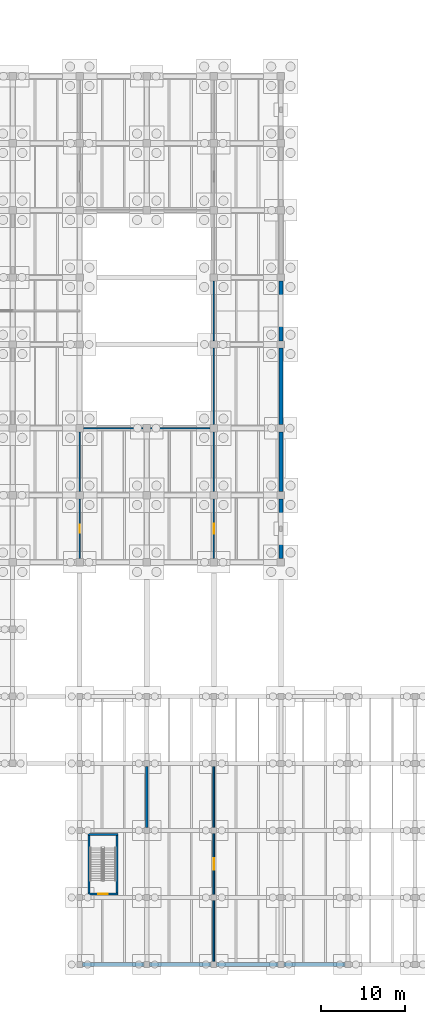
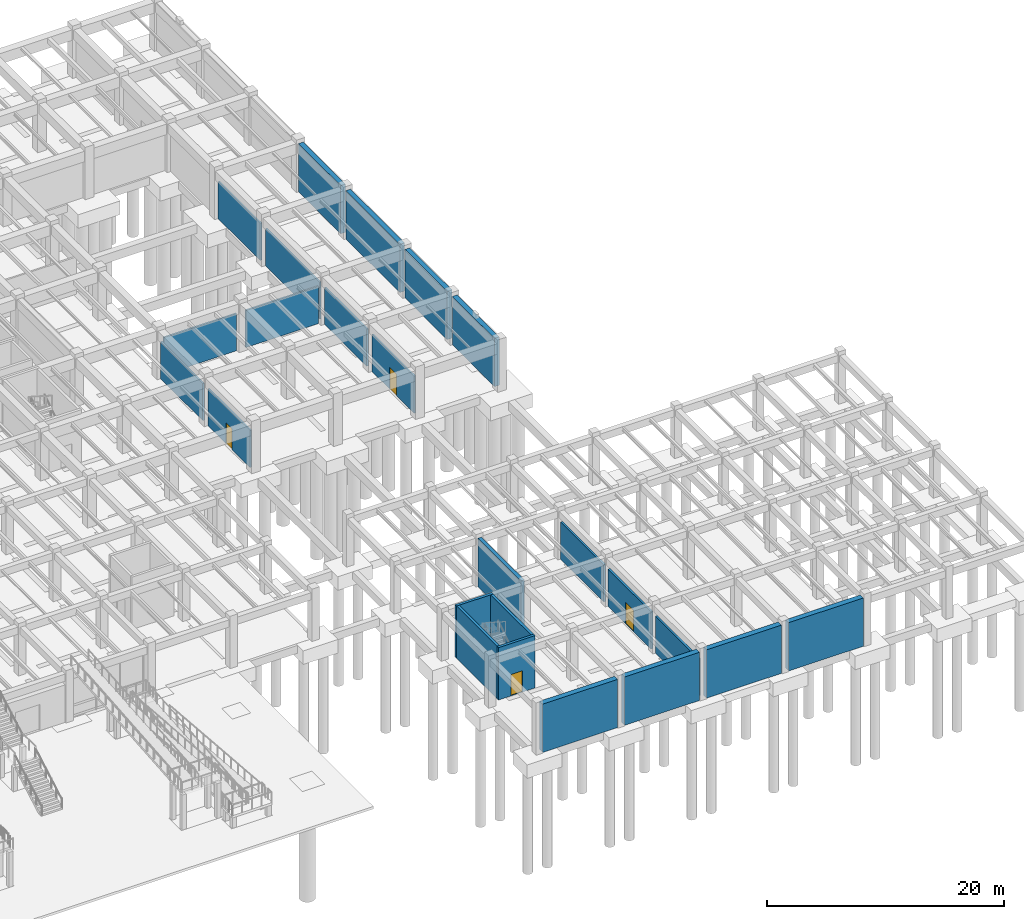
# One storey, part 29 of 44: 24 walls, 4 doors, 4 openings.
"""IFC4 building model written with IfcOpenShell, lengths in metres."""

from ifc_helpers import new_model, si_unit, direction, frame, frame_2d, origin, place, context, subcontext, project, spatial, rectangle, extrude, material, layer, layer_set, type_object, element, fill, save


model = new_model("IFC4")

# Units and contexts
model_context = context("Model", 3, precision=1e-05, world=origin(), true_north=direction((0.0, 1.0)))
body_context = subcontext(model_context, "Body", "Model", "MODEL_VIEW")
ifc_project = project(units=[si_unit("LENGTHUNIT", "METRE"), si_unit("AREAUNIT", "SQUARE_METRE"), si_unit("VOLUMEUNIT", "CUBIC_METRE"), si_unit("PLANEANGLEUNIT", "RADIAN"), si_unit("MASSUNIT", "GRAM", prefix="KILO")], contexts=[model_context])

# Site, building, storey
site_placement = place(None, origin())
site = spatial("IfcSite", under=ifc_project, at=site_placement, CompositionType="ELEMENT")
building_placement = place(site_placement, origin())
building = spatial("IfcBuilding", under=site, at=building_placement, Name="Pecanmere Concourse Central Library", CompositionType="ELEMENT")
storey_placement = place(building_placement, frame((0.0, 0.0, -5.39990234375)))
storey = spatial("IfcBuildingStorey", under=building, at=storey_placement, Name="B1", CompositionType="ELEMENT", Elevation=-5.39990234375)

# Wall, opening, door
ifc_material_1 = material(Name="Fire-rated gypsum board on acoustic steel stud", Category="steel")
ifc_layer_1 = layer(ifc_material_1, 0.159912109375, Name="IW_PART_160")
ifc_layer_set_1 = layer_set([ifc_layer_1], Name="Fire-rated gypsum board on acoustic steel stud")
wall_type_1 = type_object("IfcWallType", Name="IW_PART_160", PredefinedType="PARTITIONING", material=ifc_layer_set_1)
wall_1_placement = place(storey_placement, frame((144.0, 48.43994140625, 0.0), z_axis=(0.0, 0.0, 1.0), x_axis=(0.0, 1.0, 0.0)))
wall_1 = element("IfcWall", 1, at=wall_1_placement, inside=storey, type_object=wall_type_1, Name="Interior Partition B1-0017", PredefinedType="PARTITIONING", context=body_context, shape_type="SweptSolid", body=[
    extrude(rectangle(XDim=7.1201171875, YDim=0.159912109375, at=frame_2d((3.56005859375, 0.0))), origin(), (0.0, 0.0, 1.0), 3.829833984375),
])
opening_1_placement = place(wall_1_placement, frame((2.9599609375, 0.0, 0.0)))
opening_1 = element("IfcOpeningElement", 2, at=opening_1_placement, cuts=wall_1, Name="Opening FD-04", PredefinedType="OPENING", context=body_context, shape_type="SweptSolid", body=[
    extrude(rectangle(XDim=1.199951171875, YDim=2.25, at=frame_2d((0.60009765625, 1.125))), frame((0.0, 0.091796875, 0.0), z_axis=(0.0, -1.0, 0.0), x_axis=(1.0, 0.0, 0.0)), (0.0, 0.0, 1.0), 0.183837890625),
])
ifc_material_2 = material(Name="Painted architectural steel ASTM A36", Category="steel")
door_type_1 = type_object("IfcDoorType", Name="FD-04", OperationType="SINGLE_SWING_LEFT", PredefinedType="DOOR", material=ifc_material_2)
door_1_placement = place(opening_1_placement, origin())
door_1 = element("IfcDoor", 3, at=door_1_placement, inside=storey, type_object=door_type_1, Name="D-132", OperationType="SINGLE_SWING_LEFT", OverallHeight=2.25, OverallWidth=1.199951171875, PredefinedType="DOOR", context=body_context, shape_type="SweptSolid", body=[
    extrude(rectangle(XDim=1.199951171875, YDim=2.25, at=frame_2d((0.60009765625, 1.125))), frame((0.0, 0.02490234375, 0.0), z_axis=(0.0, -1.0, 0.0), x_axis=(1.0, 0.0, 0.0)), (0.0, 0.0, 1.0), 0.050048828125),
])
fill(opening_1, door_1)

# Walls
wall_2_placement = place(storey_placement, frame((144.0, 56.43994140625, 0.0), z_axis=(0.0, 0.0, 1.0), x_axis=(0.0, 1.0, 0.0)))
element("IfcWall", 4, at=wall_2_placement, inside=storey, type_object=wall_type_1, Name="Interior Partition B1-0018", PredefinedType="PARTITIONING", context=body_context, shape_type="SweptSolid", body=[
    extrude(rectangle(XDim=7.1201171875, YDim=0.159912109375, at=frame_2d((3.56005859375, 0.0))), origin(), (0.0, 0.0, 1.0), 3.829833984375),
])
wall_3_placement = place(storey_placement, frame((144.0, 64.43994140625, 0.0), z_axis=(0.0, 0.0, 1.0), x_axis=(0.0, 1.0, 0.0)))
element("IfcWall", 5, at=wall_3_placement, inside=storey, type_object=wall_type_1, Name="Interior Partition B1-0019", PredefinedType="PARTITIONING", context=body_context, shape_type="SweptSolid", body=[
    extrude(rectangle(XDim=9.1201171875, YDim=0.159912109375, at=frame_2d((4.56005859375, 0.0))), origin(), (0.0, 0.0, 1.0), 3.829833984375),
])
for number, where, z_axis, x_axis, name in (
    (6, (144.0, 74.43994140625, 0.0), (0.0, 0.0, 1.0), (0.0, 1.0, 0.0), "Interior Partition B1-0020"),
    (7, (128.43994140625, 64.0, 0.0), (0.0, 0.0, 1.0), (1.0, 0.0, 0.0), "Interior Partition B1-0028"),
    (8, (136.43994140625, 64.0, 0.0), (0.0, 0.0, 1.0), (1.0, 0.0, 0.0), "Interior Partition B1-0029"),
):
    element("IfcWall", number, at=place(storey_placement, frame(where, z_axis=z_axis, x_axis=x_axis)), inside=storey, type_object=wall_type_1, Name=name, PredefinedType="PARTITIONING", context=body_context, shape_type="SweptSolid", body=[
        extrude(rectangle(XDim=7.1201171875, YDim=0.159912109375, at=frame_2d((3.56005859375, 0.0))), origin(), (0.0, 0.0, 1.0), 3.829833984375),
    ])

# Wall, opening, door
wall_4_placement = place(storey_placement, frame((128.0, 48.43994140625, 0.0), z_axis=(0.0, 0.0, 1.0), x_axis=(0.0, 1.0, 0.0)))
wall_4 = element("IfcWall", 9, at=wall_4_placement, inside=storey, type_object=wall_type_1, Name="Interior Partition B1-0030", PredefinedType="PARTITIONING", context=body_context, shape_type="SweptSolid", body=[
    extrude(rectangle(XDim=7.1201171875, YDim=0.159912109375, at=frame_2d((3.56005859375, 0.0))), origin(), (0.0, 0.0, 1.0), 3.829833984375),
])
opening_2_placement = place(wall_4_placement, frame((3.06005859375, 0.0, 0.0)))
opening_2 = element("IfcOpeningElement", 10, at=opening_2_placement, cuts=wall_4, Name="Opening DT-04", PredefinedType="OPENING", context=body_context, shape_type="SweptSolid", body=[
    extrude(rectangle(XDim=1.0, YDim=2.14990234375, at=frame_2d((0.5, 1.074951171875))), frame((0.0, 0.091796875, 0.0), z_axis=(0.0, -1.0, 0.0), x_axis=(1.0, 0.0, 0.0)), (0.0, 0.0, 1.0), 0.183837890625),
])
ifc_material_3 = material(Name="Solid white oak architectural joinery")
door_type_2 = type_object("IfcDoorType", Name="DT-04", OperationType="SINGLE_SWING_RIGHT", PredefinedType="DOOR", material=ifc_material_3)
door_2_placement = place(opening_2_placement, frame((1.0, 0.0, 0.0), z_axis=(0.0, 0.0, 1.0), x_axis=(-1.0, 0.0, 0.0)))
door_2 = element("IfcDoor", 11, at=door_2_placement, inside=storey, type_object=door_type_2, Name="D-135", OperationType="SINGLE_SWING_RIGHT", OverallHeight=2.14990234375, OverallWidth=1.0, PredefinedType="DOOR", context=body_context, shape_type="SweptSolid", body=[
    extrude(rectangle(XDim=1.0, YDim=2.14990234375, at=frame_2d((0.5, 1.074951171875))), frame((0.0, 0.02490234375, 0.0), z_axis=(0.0, -1.0, 0.0), x_axis=(1.0, 0.0, 0.0)), (0.0, 0.0, 1.0), 0.050048828125),
])
fill(opening_2, door_2)

# Walls
wall_5_placement = place(storey_placement, frame((128.0, 56.43994140625, 0.0), z_axis=(0.0, 0.0, 1.0), x_axis=(0.0, 1.0, 0.0)))
element("IfcWall", 12, at=wall_5_placement, inside=storey, type_object=wall_type_1, Name="Interior Partition B1-0031", PredefinedType="PARTITIONING", context=body_context, shape_type="SweptSolid", body=[
    extrude(rectangle(XDim=7.1201171875, YDim=0.159912109375, at=frame_2d((3.56005859375, 0.0))), origin(), (0.0, 0.0, 1.0), 3.829833984375),
])
ifc_material_4 = material(Name="Fire-rated gypsum board on acoustic steel stud", Category="steel")
ifc_layer_2 = layer(ifc_material_4, 0.199951171875, Name="IW_PART_200")
ifc_layer_set_2 = layer_set([ifc_layer_2], Name="Fire-rated gypsum board on acoustic steel stud")
wall_type_2 = type_object("IfcWallType", Name="IW_PART_200", PredefinedType="PARTITIONING", material=ifc_layer_set_2)
wall_6_placement = place(storey_placement, frame((144.0, 0.360107421875, 0.0), z_axis=(0.0, 0.0, 1.0), x_axis=(0.0, 1.0, 0.0)))
element("IfcWall", 13, at=wall_6_placement, inside=storey, type_object=wall_type_2, Name="Interior Partition B1-0043", PredefinedType="PARTITIONING", context=body_context, shape_type="SweptSolid", body=[
    extrude(rectangle(XDim=7.27978515625, YDim=0.199951171875, at=frame_2d((3.639892578125, 0.0))), origin(), (0.0, 0.0, 1.0), 3.829833984375),
])

# Wall, opening, door
wall_7_placement = place(storey_placement, frame((144.0, 8.360107421875, 0.0), z_axis=(0.0, 0.0, 1.0), x_axis=(0.0, 1.0, 0.0)))
wall_7 = element("IfcWall", 14, at=wall_7_placement, inside=storey, type_object=wall_type_2, Name="Interior Partition B1-0044", PredefinedType="PARTITIONING", context=body_context, shape_type="SweptSolid", body=[
    extrude(rectangle(XDim=7.27978515625, YDim=0.199951171875, at=frame_2d((3.639892578125, 0.0))), origin(), (0.0, 0.0, 1.0), 3.829833984375),
])
opening_3_placement = place(wall_7_placement, frame((2.93994140625, 0.0, 0.0)))
opening_3 = element("IfcOpeningElement", 15, at=opening_3_placement, cuts=wall_7, Name="Opening FD-05", PredefinedType="OPENING", context=body_context, shape_type="SweptSolid", body=[
    extrude(rectangle(XDim=1.39990234375, YDim=2.199951171875, at=frame_2d((0.699951171875, 1.10009765625))), frame((0.0, 0.11181640625, 0.0), z_axis=(0.0, -1.0, 0.0), x_axis=(1.0, 0.0, 0.0)), (0.0, 0.0, 1.0), 0.223876953125),
])
ifc_material_5 = material(Name="Painted architectural steel ASTM A36", Category="steel")
door_type_3 = type_object("IfcDoorType", Name="FD-05", OperationType="DOUBLE_DOOR_SINGLE_SWING", PredefinedType="DOOR", material=ifc_material_5)
door_3_placement = place(opening_3_placement, frame((1.39990234375, 0.0, 0.0), z_axis=(0.0, 0.0, 1.0), x_axis=(-1.0, 0.0, 0.0)))
door_3 = element("IfcDoor", 16, at=door_3_placement, inside=storey, type_object=door_type_3, Name="D-139", OperationType="DOUBLE_DOOR_SINGLE_SWING", OverallHeight=2.199951171875, OverallWidth=1.39990234375, PredefinedType="DOOR", context=body_context, shape_type="SweptSolid", body=[
    extrude(rectangle(XDim=1.39990234375, YDim=2.199951171875, at=frame_2d((0.699951171875, 1.10009765625))), frame((0.0, 0.02490234375, 0.0), z_axis=(0.0, -1.0, 0.0), x_axis=(1.0, 0.0, 0.0)), (0.0, 0.0, 1.0), 0.050048828125),
])
fill(opening_3, door_3)

# Walls
wall_8_placement = place(storey_placement, frame((144.0, 16.360107421875, 0.0), z_axis=(0.0, 0.0, 1.0), x_axis=(0.0, 1.0, 0.0)))
element("IfcWall", 17, at=wall_8_placement, inside=storey, type_object=wall_type_2, Name="Interior Partition B1-0045", PredefinedType="PARTITIONING", context=body_context, shape_type="SweptSolid", body=[
    extrude(rectangle(XDim=7.27978515625, YDim=0.199951171875, at=frame_2d((3.639892578125, 0.0))), origin(), (0.0, 0.0, 1.0), 3.829833984375),
])
ifc_material_6 = material(Name="Concrete C40/50", Category="concrete")
ifc_layer_3 = layer(ifc_material_6, 0.4599609375, Name="WALL_RET_460")
ifc_layer_set_3 = layer_set([ifc_layer_3], Name="Concrete C40/50")
wall_type_3 = type_object("IfcWallType", Name="WALL_RET_460", PredefinedType="USERDEFINED", material=ifc_layer_set_3)
for number, where, z_axis, x_axis, name in (
    (18, (152.0, 48.429931640625, 0.0), (0.0, 0.0, 1.0), (0.0, 1.0, 0.0), "Basement Retaining Wall B1-012"),
    (19, (152.0, 56.429931640625, 0.0), (0.0, 0.0, 1.0), (0.0, 1.0, 0.0), "Basement Retaining Wall B1-013"),
):
    element("IfcWall", number, at=place(storey_placement, frame(where, z_axis=z_axis, x_axis=x_axis)), inside=storey, type_object=wall_type_3, Name=name, ObjectType="RETAININGWALL", PredefinedType="USERDEFINED", context=body_context, shape_type="SweptSolid", body=[
        extrude(rectangle(XDim=7.14013671875, YDim=0.4599609375, at=frame_2d((3.570068359375, 0.0))), origin(), (0.0, 0.0, 1.0), 4.97998046875),
    ])
wall_9_placement = place(storey_placement, frame((152.0, 64.429931640625, 0.0), z_axis=(0.0, 0.0, 1.0), x_axis=(0.0, 1.0, 0.0)))
element("IfcWall", 20, at=wall_9_placement, inside=storey, type_object=wall_type_3, Name="Basement Retaining Wall B1-014", ObjectType="RETAININGWALL", PredefinedType="USERDEFINED", context=body_context, shape_type="SweptSolid", body=[
    extrude(rectangle(XDim=9.14013671875, YDim=0.4599609375, at=frame_2d((4.570068359375, 0.0))), origin(), (0.0, 0.0, 1.0), 4.97998046875),
])
wall_10_placement = place(storey_placement, frame((152.0, 74.429931640625, 0.0), z_axis=(0.0, 0.0, 1.0), x_axis=(0.0, 1.0, 0.0)))
element("IfcWall", 21, at=wall_10_placement, inside=storey, type_object=wall_type_3, Name="Basement Retaining Wall B1-015", ObjectType="RETAININGWALL", PredefinedType="USERDEFINED", context=body_context, shape_type="SweptSolid", body=[
    extrude(rectangle(XDim=7.14013671875, YDim=0.4599609375, at=frame_2d((3.570068359375, 0.0))), origin(), (0.0, 0.0, 1.0), 4.97998046875),
])
ifc_material_7 = material(Name="Concrete C40/50", Category="concrete")
ifc_layer_4 = layer(ifc_material_7, 0.52001953125, Name="WALL_RET_520")
ifc_layer_set_4 = layer_set([ifc_layer_4], Name="Concrete C40/50")
wall_type_4 = type_object("IfcWallType", Name="WALL_RET_520", PredefinedType="USERDEFINED", material=ifc_layer_set_4)
for number, where, z_axis, x_axis, name in (
    (22, (128.35009765625, 0.0, 0.0), (0.0, 0.0, 1.0), (1.0, 0.0, 0.0), "Basement Retaining Wall B1-019"),
    (23, (136.35009765625, 0.0, 0.0), (0.0, 0.0, 1.0), (1.0, 0.0, 0.0), "Basement Retaining Wall B1-020"),
    (24, (144.35009765625, 0.0, 0.0), (0.0, 0.0, 1.0), (1.0, 0.0, 0.0), "Basement Retaining Wall B1-021"),
    (25, (152.35009765625, 0.0, 0.0), (0.0, 0.0, 1.0), (1.0, 0.0, 0.0), "Basement Retaining Wall B1-022"),
):
    element("IfcWall", number, at=place(storey_placement, frame(where, z_axis=z_axis, x_axis=x_axis)), inside=storey, type_object=wall_type_4, Name=name, ObjectType="RETAININGWALL", PredefinedType="USERDEFINED", context=body_context, shape_type="SweptSolid", body=[
        extrude(rectangle(XDim=7.2998046875, YDim=0.52001953125, at=frame_2d((3.64990234375, 0.0))), origin(), (0.0, 0.0, 1.0), 4.97998046875),
    ])
ifc_material_8 = material(Name="Concrete C40/50", Category="concrete")
ifc_layer_5 = layer(ifc_material_8, 0.35009765625, Name="WALL_SHR_350")
ifc_layer_set_5 = layer_set([ifc_layer_5], Name="Concrete C40/50")
wall_type_5 = type_object("IfcWallType", Name="WALL_SHR_350", PredefinedType="SHEAR", material=ifc_layer_set_5)
wall_11_placement = place(storey_placement, frame((136.0, 16.35009765625, 0.0), z_axis=(0.0, 0.0, 1.0), x_axis=(0.0, 1.0, 0.0)))
element("IfcWall", 26, at=wall_11_placement, inside=storey, type_object=wall_type_5, Name="Lateral Shear Wall B1-035", PredefinedType="SHEAR", context=body_context, shape_type="SweptSolid", body=[
    extrude(rectangle(XDim=7.2998046875, YDim=0.35009765625, at=frame_2d((3.64990234375, 0.0))), origin(), (0.0, 0.0, 1.0), 4.97998046875),
])

# Wall, opening, door
ifc_material_9 = material(Name="Concrete C40/50", Category="concrete")
ifc_layer_6 = layer(ifc_material_9, 0.260009765625, Name="WALL_SLD_260")
ifc_layer_set_6 = layer_set([ifc_layer_6], Name="Concrete C40/50")
wall_type_6 = type_object("IfcWallType", Name="WALL_SLD_260", PredefinedType="SOLIDWALL", material=ifc_layer_set_6)
wall_12_placement = place(storey_placement, frame((128.97998046875, 8.419921875, 0.0), z_axis=(0.0, 0.0, 1.0), x_axis=(1.0, 0.0, 0.0)))
wall_12 = element("IfcWall", 27, at=wall_12_placement, inside=storey, type_object=wall_type_6, Name="Core C8 South Wall B1", PredefinedType="SOLIDWALL", context=body_context, shape_type="SweptSolid", body=[
    extrude(rectangle(XDim=3.580078125, YDim=0.260009765625, at=frame_2d((1.7900390625, 0.0))), origin(), (0.0, 0.0, 1.0), 5.39990234375),
])
opening_4_placement = place(wall_12_placement, frame((1.239990234375, 0.0, 0.0)))
opening_4 = element("IfcOpeningElement", 28, at=opening_4_placement, cuts=wall_12, Name="Opening FD-01", PredefinedType="OPENING", context=body_context, shape_type="SweptSolid", body=[
    extrude(rectangle(XDim=1.10009765625, YDim=2.199951171875, at=frame_2d((0.550048828125, 1.10009765625))), frame((0.0, 0.14208984375, 0.0), z_axis=(0.0, -1.0, 0.0), x_axis=(1.0, 0.0, 0.0)), (0.0, 0.0, 1.0), 0.283935546875),
])
ifc_material_10 = material(Name="Painted architectural steel ASTM A36", Category="steel")
door_type_4 = type_object("IfcDoorType", Name="FD-01", OperationType="SINGLE_SWING_LEFT", PredefinedType="DOOR", material=ifc_material_10)
door_4_placement = place(opening_4_placement, origin())
door_4 = element("IfcDoor", 29, at=door_4_placement, inside=storey, type_object=door_type_4, Name="D-049", OperationType="SINGLE_SWING_LEFT", OverallHeight=2.199951171875, OverallWidth=1.10009765625, PredefinedType="DOOR", context=body_context, shape_type="SweptSolid", body=[
    extrude(rectangle(XDim=1.10009765625, YDim=2.199951171875, at=frame_2d((0.550048828125, 1.10009765625))), frame((0.0, 0.02490234375, 0.0), z_axis=(0.0, -1.0, 0.0), x_axis=(1.0, 0.0, 0.0)), (0.0, 0.0, 1.0), 0.050048828125),
])
fill(opening_4, door_4)

# Walls
wall_13_placement = place(storey_placement, frame((128.97998046875, 15.5, 0.0), z_axis=(0.0, 0.0, 1.0), x_axis=(1.0, 0.0, 0.0)))
element("IfcWall", 30, at=wall_13_placement, inside=storey, type_object=wall_type_6, Name="Core C8 North Wall B1", PredefinedType="SOLIDWALL", context=body_context, shape_type="SweptSolid", body=[
    extrude(rectangle(XDim=3.580078125, YDim=0.260009765625, at=frame_2d((1.7900390625, 0.0))), origin(), (0.0, 0.0, 1.0), 5.39990234375),
])
for number, where, z_axis, x_axis, name in (
    (31, (129.110107421875, 8.550048828125, 0.0), (0.0, 0.0, 1.0), (0.0, 1.0, 0.0), "Core C8 W Wall B1"),
    (32, (132.429931640625, 8.550048828125, 0.0), (0.0, 0.0, 1.0), (0.0, 1.0, 0.0), "Core C8 E Wall B1"),
):
    element("IfcWall", number, at=place(storey_placement, frame(where, z_axis=z_axis, x_axis=x_axis)), inside=storey, type_object=wall_type_6, Name=name, PredefinedType="SOLIDWALL", context=body_context, shape_type="SweptSolid", body=[
        extrude(rectangle(XDim=6.820068359375, YDim=0.260009765625, at=frame_2d((3.41015625, 0.0))), origin(), (0.0, 0.0, 1.0), 5.39990234375),
    ])

save(model, "model.ifc")
